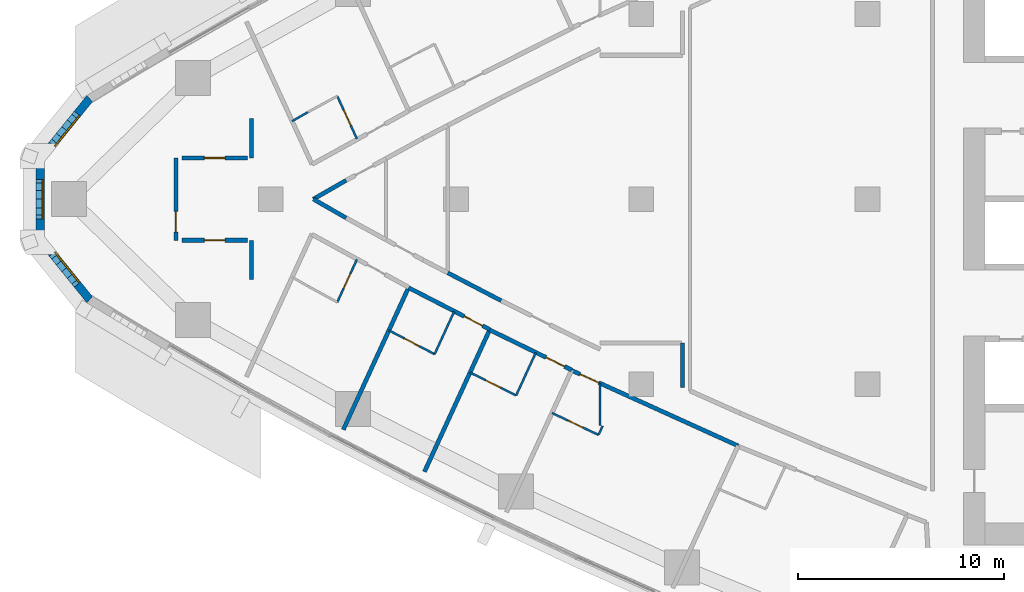
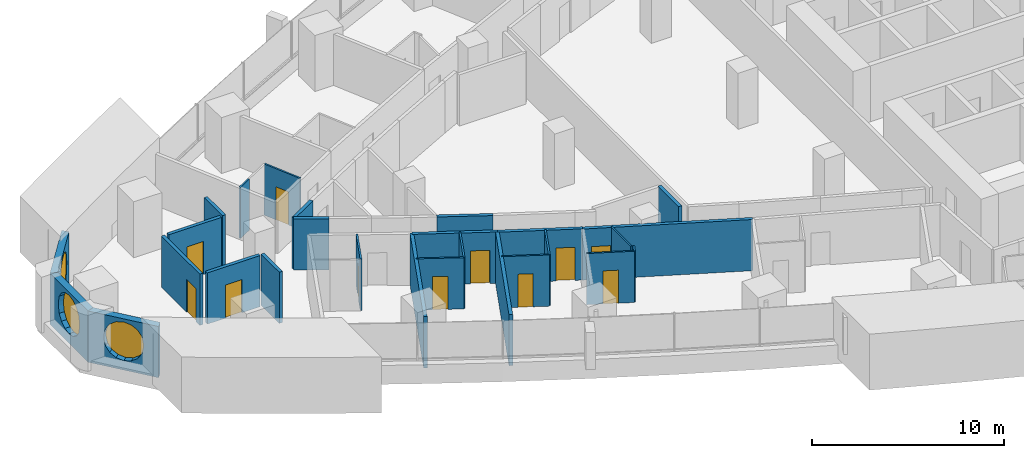
# One storey, part 8 of 17: 27 walls, 11 doors, 3 windows, 14 openings.
"""IFC4 building model written with IfcOpenShell, lengths in metres."""

from ifc_helpers import new_model, si_unit, direction, frame, frame_2d, origin, place, context, subcontext, project, spatial, polyline, rectangle, outline, extrude, material, layer, layer_set, type_object, element, fill, save


model = new_model("IFC4")

# Units and contexts
model_context = context("Model", 3, precision=1e-05, world=origin(), true_north=direction((0.0, 1.0)))
body_context = subcontext(model_context, "Body", "Model", "MODEL_VIEW")
ifc_project = project(units=[si_unit("LENGTHUNIT", "METRE"), si_unit("AREAUNIT", "SQUARE_METRE"), si_unit("VOLUMEUNIT", "CUBIC_METRE"), si_unit("PLANEANGLEUNIT", "RADIAN"), si_unit("MASSUNIT", "GRAM", prefix="KILO")], contexts=[model_context])

# Site, building, storey
site_placement = place(None, origin())
site = spatial("IfcSite", under=ifc_project, at=site_placement, CompositionType="ELEMENT")
building_placement = place(site_placement, origin())
building = spatial("IfcBuilding", under=site, at=building_placement, Name="Ostrand Prow Hotel Tower", CompositionType="ELEMENT")
storey_placement = place(building_placement, frame((0.0, 0.0, 99.10009765625)))
storey = spatial("IfcBuildingStorey", under=building, at=storey_placement, Name="L23", CompositionType="ELEMENT", Elevation=99.10009765625)

# Wall
ifc_material_1 = material(Name="Plasterboard partition")
ifc_layer_1 = layer(ifc_material_1, 0.10009765625)
ifc_layer_set_1 = layer_set([ifc_layer_1], Name="Plasterboard partition")
wall_type_1 = type_object("IfcWallType", Name="Partition 100 bathroom wall", PredefinedType="PARTITIONING", material=ifc_layer_set_1)
wall_1_placement = place(storey_placement, frame((17.0361328125, 3.7900390625, 0.0), z_axis=(0.0, 0.0, 1.0), x_axis=(0.867629162742, 0.497211862248, 0.0)))
element("IfcWall", 1, at=wall_1_placement, inside=storey, type_object=wall_type_1, Name="BATHROOM WALL", PredefinedType="PARTITIONING", context=body_context, shape_type="SweptSolid", body=[
    extrude(rectangle(XDim=0.8818359375, YDim=0.10009765625, at=frame_2d((0.44091796875, 0.0))), origin(), (0.0, 0.0, 1.0), 3.25),
])

# Wall, opening, door
wall_2_placement = place(storey_placement, frame((19.2275390625, 5.00830078125, 0.0), z_axis=(0.0, 0.0, 1.0), x_axis=(0.417450047292, -0.908699872354, 0.0)))
wall_2 = element("IfcWall", 2, at=wall_2_placement, inside=storey, type_object=wall_type_1, Name="BATHROOM WALL", PredefinedType="PARTITIONING", context=body_context, shape_type="SweptSolid", body=[
    extrude(rectangle(XDim=2.28271484375, YDim=0.10009765625, at=frame_2d((1.141357421875, 0.0))), origin(), (0.0, 0.0, 1.0), 3.25),
])
opening_1_placement = place(wall_2_placement, frame((0.75, 0.0, 0.0)))
opening_1 = element("IfcOpeningElement", 3, at=opening_1_placement, cuts=wall_2, Name="Opening D2", PredefinedType="OPENING", context=body_context, shape_type="SweptSolid", body=[
    extrude(rectangle(XDim=0.800048828125, YDim=2.10009765625, at=frame_2d((0.39990234375, 1.050048828125))), frame((0.0, 0.06005859375, 0.0), z_axis=(0.0, -1.0, 0.0), x_axis=(1.0, 0.0, 0.0)), (0.0, 0.0, 1.0), 0.1201171875),
])
ifc_material_2 = material(Name="Timber door leaf", Category="wood")
door_type_1 = type_object("IfcDoorType", Name="Bathroom door 800", OperationType="SINGLE_SWING_LEFT", PredefinedType="DOOR", material=ifc_material_2)
door_1_placement = place(opening_1_placement, origin())
door_1 = element("IfcDoor", 4, at=door_1_placement, inside=storey, type_object=door_type_1, Name="DOOR", OperationType="SINGLE_SWING_LEFT", OverallHeight=2.10009765625, OverallWidth=0.800048828125, PredefinedType="DOOR", context=body_context, shape_type="SweptSolid", body=[
    extrude(rectangle(XDim=0.800048828125, YDim=2.10009765625, at=frame_2d((0.39990234375, 1.050048828125))), frame((0.0, 0.02490234375, 0.0), z_axis=(0.0, -1.0, 0.0), x_axis=(1.0, 0.0, 0.0)), (0.0, 0.0, 1.0), 0.050048828125),
])
fill(opening_1, door_1)

wall_3_placement = place(storey_placement, frame((20.180419921875, -2.93408203125, 0.0), z_axis=(0.0, 0.0, 1.0), x_axis=(-0.417450047292, -0.908699872354, 0.0)))
wall_3 = element("IfcWall", 5, at=wall_3_placement, inside=storey, type_object=wall_type_1, Name="BATHROOM WALL", PredefinedType="PARTITIONING", context=body_context, shape_type="SweptSolid", body=[
    extrude(rectangle(XDim=2.28271484375, YDim=0.10009765625, at=frame_2d((1.141357421875, 0.0))), origin(), (0.0, 0.0, 1.0), 3.25),
])
opening_2_placement = place(wall_3_placement, frame((0.75, 0.0, 0.0)))
opening_2 = element("IfcOpeningElement", 6, at=opening_2_placement, cuts=wall_3, Name="Opening D2", PredefinedType="OPENING", context=body_context, shape_type="SweptSolid", body=[
    extrude(rectangle(XDim=0.800048828125, YDim=2.10009765625, at=frame_2d((0.39990234375, 1.050048828125))), frame((0.0, 0.06005859375, 0.0), z_axis=(0.0, -1.0, 0.0), x_axis=(1.0, 0.0, 0.0)), (0.0, 0.0, 1.0), 0.1201171875),
])
door_2_placement = place(opening_2_placement, origin())
door_2 = element("IfcDoor", 7, at=door_2_placement, inside=storey, type_object=door_type_1, Name="DOOR", OperationType="SINGLE_SWING_LEFT", OverallHeight=2.10009765625, OverallWidth=0.800048828125, PredefinedType="DOOR", context=body_context, shape_type="SweptSolid", body=[
    extrude(rectangle(XDim=0.800048828125, YDim=2.10009765625, at=frame_2d((0.39990234375, 1.050048828125))), frame((0.0, 0.02490234375, 0.0), z_axis=(0.0, -1.0, 0.0), x_axis=(1.0, 0.0, 0.0)), (0.0, 0.0, 1.0), 0.050048828125),
])
fill(opening_2, door_2)

# Wall
wall_4_placement = place(storey_placement, frame((24.9091796875, -5.4619140625, 0.0), z_axis=(0.0, 0.0, 1.0), x_axis=(-0.417454762401, -0.908697706253, 0.0)))
element("IfcWall", 8, at=wall_4_placement, inside=storey, type_object=wall_type_1, Name="BATHROOM WALL", PredefinedType="PARTITIONING", context=body_context, shape_type="SweptSolid", body=[
    extrude(rectangle(XDim=2.27978515625, YDim=0.10009765625, at=frame_2d((1.139892578125, 0.0))), origin(), (0.0, 0.0, 1.0), 3.25),
])

# Wall, opening, door
wall_5_placement = place(storey_placement, frame((23.95751953125, -7.533447265625, 0.0), z_axis=(0.0, 0.0, 1.0), x_axis=(-0.886911586599, 0.461939214135, 0.0)))
wall_5 = element("IfcWall", 9, at=wall_5_placement, inside=storey, type_object=wall_type_1, Name="BATHROOM WALL", PredefinedType="PARTITIONING", context=body_context, shape_type="SweptSolid", body=[
    extrude(rectangle(XDim=2.5029296875, YDim=0.10009765625, at=frame_2d((1.25146484375, 0.0))), origin(), (0.0, 0.0, 1.0), 3.25),
])
opening_3_placement = place(wall_5_placement, frame((0.85009765625, 0.0, 0.0)))
opening_3 = element("IfcOpeningElement", 10, at=opening_3_placement, cuts=wall_5, Name="Opening D2", PredefinedType="OPENING", context=body_context, shape_type="SweptSolid", body=[
    extrude(rectangle(XDim=0.800048828125, YDim=2.10009765625, at=frame_2d((0.39990234375, 1.050048828125))), frame((0.0, 0.06005859375, 0.0), z_axis=(0.0, -1.0, 0.0), x_axis=(1.0, 0.0, 0.0)), (0.0, 0.0, 1.0), 0.1201171875),
])
door_3_placement = place(opening_3_placement, origin())
door_3 = element("IfcDoor", 11, at=door_3_placement, inside=storey, type_object=door_type_1, Name="DOOR", OperationType="SINGLE_SWING_LEFT", OverallHeight=2.10009765625, OverallWidth=0.800048828125, PredefinedType="DOOR", context=body_context, shape_type="SweptSolid", body=[
    extrude(rectangle(XDim=0.800048828125, YDim=2.10009765625, at=frame_2d((0.39990234375, 1.050048828125))), frame((0.0, 0.02490234375, 0.0), z_axis=(0.0, -1.0, 0.0), x_axis=(1.0, 0.0, 0.0)), (0.0, 0.0, 1.0), 0.050048828125),
])
fill(opening_3, door_3)

# Wall
wall_6_placement = place(storey_placement, frame((28.87255859375, -7.466552734375, 0.0), z_axis=(0.0, 0.0, 1.0), x_axis=(-0.417433204355, -0.908707609686, 0.0)))
element("IfcWall", 12, at=wall_6_placement, inside=storey, type_object=wall_type_1, Name="BATHROOM WALL", PredefinedType="PARTITIONING", context=body_context, shape_type="SweptSolid", body=[
    extrude(rectangle(XDim=2.278076171875, YDim=0.10009765625, at=frame_2d((1.13916015625, 0.0))), origin(), (0.0, 0.0, 1.0), 3.25),
])

# Wall, opening, door
wall_7_placement = place(storey_placement, frame((27.921630859375, -9.53662109375, 0.0), z_axis=(0.0, 0.0, 1.0), x_axis=(-0.895944857815, 0.444165297784, 0.0)))
wall_7 = element("IfcWall", 13, at=wall_7_placement, inside=storey, type_object=wall_type_1, Name="BATHROOM WALL", PredefinedType="PARTITIONING", context=body_context, shape_type="SweptSolid", body=[
    extrude(rectangle(XDim=2.5009765625, YDim=0.10009765625, at=frame_2d((1.25048828125, 0.0))), origin(), (0.0, 0.0, 1.0), 3.25),
])
opening_4_placement = place(wall_7_placement, frame((0.85009765625, 0.0, 0.0)))
opening_4 = element("IfcOpeningElement", 14, at=opening_4_placement, cuts=wall_7, Name="Opening D2", PredefinedType="OPENING", context=body_context, shape_type="SweptSolid", body=[
    extrude(rectangle(XDim=0.800048828125, YDim=2.10009765625, at=frame_2d((0.39990234375, 1.050048828125))), frame((0.0, 0.06005859375, 0.0), z_axis=(0.0, -1.0, 0.0), x_axis=(1.0, 0.0, 0.0)), (0.0, 0.0, 1.0), 0.1201171875),
])
door_4_placement = place(opening_4_placement, origin())
door_4 = element("IfcDoor", 15, at=door_4_placement, inside=storey, type_object=door_type_1, Name="DOOR", OperationType="SINGLE_SWING_LEFT", OverallHeight=2.10009765625, OverallWidth=0.800048828125, PredefinedType="DOOR", context=body_context, shape_type="SweptSolid", body=[
    extrude(rectangle(XDim=0.800048828125, YDim=2.10009765625, at=frame_2d((0.39990234375, 1.050048828125))), frame((0.0, 0.02490234375, 0.0), z_axis=(0.0, -1.0, 0.0), x_axis=(1.0, 0.0, 0.0)), (0.0, 0.0, 1.0), 0.050048828125),
])
fill(opening_4, door_4)

# Wall
wall_8_placement = place(storey_placement, frame((32.123779296875, -11.022216796875, 0.0), z_axis=(0.0, 0.0, 1.0), x_axis=(-0.4176025781, -0.908629785316, 0.0)))
element("IfcWall", 16, at=wall_8_placement, inside=storey, type_object=wall_type_1, Name="BATHROOM WALL", PredefinedType="PARTITIONING", context=body_context, shape_type="SweptSolid", body=[
    extrude(rectangle(XDim=0.478759765625, YDim=0.10009765625, at=frame_2d((0.2392578125, 0.0))), origin(), (0.0, 0.0, 1.0), 3.25),
])

# Wall, opening, door
wall_9_placement = place(storey_placement, frame((31.923828125, -11.457275390625, 0.0), z_axis=(0.0, 0.0, 1.0), x_axis=(-0.904688082375, 0.426074493027, 0.0)))
wall_9 = element("IfcWall", 17, at=wall_9_placement, inside=storey, type_object=wall_type_1, Name="BATHROOM WALL", PredefinedType="PARTITIONING", context=body_context, shape_type="SweptSolid", body=[
    extrude(rectangle(XDim=2.5, YDim=0.10009765625, at=frame_2d((1.25, 0.0))), origin(), (0.0, 0.0, 1.0), 3.25),
])
opening_5_placement = place(wall_9_placement, frame((0.85009765625, 0.0, 0.0)))
opening_5 = element("IfcOpeningElement", 18, at=opening_5_placement, cuts=wall_9, Name="Opening D2", PredefinedType="OPENING", context=body_context, shape_type="SweptSolid", body=[
    extrude(rectangle(XDim=0.800048828125, YDim=2.10009765625, at=frame_2d((0.39990234375, 1.050048828125))), frame((0.0, 0.06005859375, 0.0), z_axis=(0.0, -1.0, 0.0), x_axis=(1.0, 0.0, 0.0)), (0.0, 0.0, 1.0), 0.1201171875),
])
door_5_placement = place(opening_5_placement, origin())
door_5 = element("IfcDoor", 19, at=door_5_placement, inside=storey, type_object=door_type_1, Name="DOOR", OperationType="SINGLE_SWING_LEFT", OverallHeight=2.10009765625, OverallWidth=0.800048828125, PredefinedType="DOOR", context=body_context, shape_type="SweptSolid", body=[
    extrude(rectangle(XDim=0.800048828125, YDim=2.10009765625, at=frame_2d((0.39990234375, 1.050048828125))), frame((0.0, 0.02490234375, 0.0), z_axis=(0.0, -1.0, 0.0), x_axis=(1.0, 0.0, 0.0)), (0.0, 0.0, 1.0), 0.050048828125),
])
fill(opening_5, door_5)

# Wall
wall_10_placement = place(storey_placement, frame((31.9951171875, -8.9541015625, 0.0), z_axis=(0.0, 0.0, 1.0), x_axis=(0.0, -1.0, 0.0)))
element("IfcWall", 20, at=wall_10_placement, inside=storey, type_object=wall_type_1, Name="BATHROOM WALL", PredefinedType="PARTITIONING", context=body_context, shape_type="SweptSolid", body=[
    extrude(rectangle(XDim=2.04638671875, YDim=0.10009765625, at=frame_2d((1.023193359375, 0.0))), origin(), (0.0, 0.0, 1.0), 3.25),
])

# Wall, opening, door
ifc_material_3 = material(Name="Plasterboard partition")
ifc_layer_2 = layer(ifc_material_3, 0.199951171875)
ifc_layer_set_2 = layer_set([ifc_layer_2], Name="Plasterboard partition")
wall_type_2 = type_object("IfcWallType", Name="Partition 200 corridor wall", PredefinedType="PARTITIONING", material=ifc_layer_set_2)
wall_11_placement = place(storey_placement, frame((11.685302734375, 2.0, 0.0), z_axis=(0.0, 0.0, 1.0), x_axis=(1.0, 0.0, 0.0)))
wall_11 = element("IfcWall", 21, at=wall_11_placement, inside=storey, type_object=wall_type_2, Name="CORRIDOR WALL", PredefinedType="PARTITIONING", context=body_context, shape_type="SweptSolid", body=[
    extrude(rectangle(XDim=3.16845703125, YDim=0.199951171875, at=frame_2d((1.584228515625, 0.0))), origin(), (0.0, 0.0, 1.0), 3.25),
])
opening_6_placement = place(wall_11_placement, frame((1.084228515625, 0.0, 0.0)))
opening_6 = element("IfcOpeningElement", 22, at=opening_6_placement, cuts=wall_11, Name="Opening D1", PredefinedType="OPENING", context=body_context, shape_type="SweptSolid", body=[
    extrude(rectangle(XDim=1.0, YDim=2.10009765625, at=frame_2d((0.5, 1.050048828125))), frame((0.0, 0.10986328125, 0.0), z_axis=(0.0, -1.0, 0.0), x_axis=(1.0, 0.0, 0.0)), (0.0, 0.0, 1.0), 0.219970703125),
])
ifc_material_4 = material(Name="Timber door leaf", Category="wood")
door_type_2 = type_object("IfcDoorType", Name="Guest room door 1000", OperationType="SINGLE_SWING_LEFT", PredefinedType="DOOR", material=ifc_material_4)
door_6_placement = place(opening_6_placement, origin())
door_6 = element("IfcDoor", 23, at=door_6_placement, inside=storey, type_object=door_type_2, Name="DOOR", OperationType="SINGLE_SWING_LEFT", OverallHeight=2.10009765625, OverallWidth=1.0, PredefinedType="DOOR", context=body_context, shape_type="SweptSolid", body=[
    extrude(rectangle(XDim=1.0, YDim=2.10009765625, at=frame_2d((0.5, 1.050048828125))), frame((0.0, 0.02490234375, 0.0), z_axis=(0.0, -1.0, 0.0), x_axis=(1.0, 0.0, 0.0)), (0.0, 0.0, 1.0), 0.050048828125),
])
fill(opening_6, door_6)

wall_12_placement = place(storey_placement, frame((11.685302734375, -2.0, 0.0), z_axis=(0.0, 0.0, 1.0), x_axis=(1.0, 0.0, 0.0)))
wall_12 = element("IfcWall", 24, at=wall_12_placement, inside=storey, type_object=wall_type_2, Name="CORRIDOR WALL", PredefinedType="PARTITIONING", context=body_context, shape_type="SweptSolid", body=[
    extrude(rectangle(XDim=3.16845703125, YDim=0.199951171875, at=frame_2d((1.584228515625, 0.0))), origin(), (0.0, 0.0, 1.0), 3.25),
])
opening_7_placement = place(wall_12_placement, frame((1.084228515625, 0.0, 0.0)))
opening_7 = element("IfcOpeningElement", 25, at=opening_7_placement, cuts=wall_12, Name="Opening D1R", PredefinedType="OPENING", context=body_context, shape_type="SweptSolid", body=[
    extrude(rectangle(XDim=1.0, YDim=2.10009765625, at=frame_2d((0.5, 1.050048828125))), frame((0.0, 0.10986328125, 0.0), z_axis=(0.0, -1.0, 0.0), x_axis=(1.0, 0.0, 0.0)), (0.0, 0.0, 1.0), 0.219970703125),
])
ifc_material_5 = material(Name="Timber door leaf", Category="wood")
door_type_3 = type_object("IfcDoorType", Name="Guest room door 1000 right", OperationType="SINGLE_SWING_RIGHT", PredefinedType="DOOR", material=ifc_material_5)
door_7_placement = place(opening_7_placement, origin())
door_7 = element("IfcDoor", 26, at=door_7_placement, inside=storey, type_object=door_type_3, Name="DOOR", OperationType="SINGLE_SWING_RIGHT", OverallHeight=2.10009765625, OverallWidth=1.0, PredefinedType="DOOR", context=body_context, shape_type="SweptSolid", body=[
    extrude(rectangle(XDim=1.0, YDim=2.10009765625, at=frame_2d((0.5, 1.050048828125))), frame((0.0, 0.02490234375, 0.0), z_axis=(0.0, -1.0, 0.0), x_axis=(1.0, 0.0, 0.0)), (0.0, 0.0, 1.0), 0.050048828125),
])
fill(opening_7, door_7)

wall_13_placement = place(storey_placement, frame((22.6904296875, -4.302490234375, 0.0), z_axis=(0.0, 0.0, 1.0), x_axis=(0.889236075961, -0.457448577667, 0.0)))
wall_13 = element("IfcWall", 27, at=wall_13_placement, inside=storey, type_object=wall_type_2, Name="CORRIDOR WALL", PredefinedType="PARTITIONING", context=body_context, shape_type="SweptSolid", body=[
    extrude(rectangle(XDim=4.443115234375, YDim=0.199951171875, at=frame_2d((2.2216796875, 0.0))), origin(), (0.0, 0.0, 1.0), 3.25),
])
opening_8_placement = place(wall_13_placement, frame((3.050048828125, 0.0, 0.0)))
opening_8 = element("IfcOpeningElement", 28, at=opening_8_placement, cuts=wall_13, Name="Opening D1R", PredefinedType="OPENING", context=body_context, shape_type="SweptSolid", body=[
    extrude(rectangle(XDim=1.0, YDim=2.10009765625, at=frame_2d((0.5, 1.050048828125))), frame((0.0, 0.10986328125, 0.0), z_axis=(0.0, -1.0, 0.0), x_axis=(1.0, 0.0, 0.0)), (0.0, 0.0, 1.0), 0.219970703125),
])
door_8_placement = place(opening_8_placement, origin())
door_8 = element("IfcDoor", 29, at=door_8_placement, inside=storey, type_object=door_type_3, Name="DOOR", OperationType="SINGLE_SWING_RIGHT", OverallHeight=2.10009765625, OverallWidth=1.0, PredefinedType="DOOR", context=body_context, shape_type="SweptSolid", body=[
    extrude(rectangle(XDim=1.0, YDim=2.10009765625, at=frame_2d((0.5, 1.050048828125))), frame((0.0, 0.02490234375, 0.0), z_axis=(0.0, -1.0, 0.0), x_axis=(1.0, 0.0, 0.0)), (0.0, 0.0, 1.0), 0.050048828125),
])
fill(opening_8, door_8)

wall_14_placement = place(storey_placement, frame((26.6328125, -6.35302734375, 0.0), z_axis=(0.0, 0.0, 1.0), x_axis=(0.898502457097, -0.438968489291, 0.0)))
wall_14 = element("IfcWall", 30, at=wall_14_placement, inside=storey, type_object=wall_type_2, Name="CORRIDOR WALL", PredefinedType="PARTITIONING", context=body_context, shape_type="SweptSolid", body=[
    extrude(rectangle(XDim=4.43994140625, YDim=0.199951171875, at=frame_2d((2.219970703125, 0.0))), origin(), (0.0, 0.0, 1.0), 3.25),
])
opening_9_placement = place(wall_14_placement, frame((3.050048828125, 0.0, 0.0)))
opening_9 = element("IfcOpeningElement", 31, at=opening_9_placement, cuts=wall_14, Name="Opening D1R", PredefinedType="OPENING", context=body_context, shape_type="SweptSolid", body=[
    extrude(rectangle(XDim=1.0, YDim=2.10009765625, at=frame_2d((0.5, 1.050048828125))), frame((0.0, 0.10986328125, 0.0), z_axis=(0.0, -1.0, 0.0), x_axis=(1.0, 0.0, 0.0)), (0.0, 0.0, 1.0), 0.219970703125),
])
door_9_placement = place(opening_9_placement, origin())
door_9 = element("IfcDoor", 32, at=door_9_placement, inside=storey, type_object=door_type_3, Name="DOOR", OperationType="SINGLE_SWING_RIGHT", OverallHeight=2.10009765625, OverallWidth=1.0, PredefinedType="DOOR", context=body_context, shape_type="SweptSolid", body=[
    extrude(rectangle(XDim=1.0, YDim=2.10009765625, at=frame_2d((0.5, 1.050048828125))), frame((0.0, 0.02490234375, 0.0), z_axis=(0.0, -1.0, 0.0), x_axis=(1.0, 0.0, 0.0)), (0.0, 0.0, 1.0), 0.050048828125),
])
fill(opening_9, door_9)

wall_15_placement = place(storey_placement, frame((30.61376953125, -8.320068359375, 0.0), z_axis=(0.0, 0.0, 1.0), x_axis=(0.910751030363, -0.41295588226, 0.0)))
wall_15 = element("IfcWall", 33, at=wall_15_placement, inside=storey, type_object=wall_type_2, Name="CORRIDOR WALL", PredefinedType="PARTITIONING", context=body_context, shape_type="SweptSolid", body=[
    extrude(rectangle(XDim=8.88330078125, YDim=0.199951171875, at=frame_2d((4.441650390625, 0.0))), origin(), (0.0, 0.0, 1.0), 3.25),
])
opening_10_placement = place(wall_15_placement, frame((0.449951171875, 0.0, 0.0)))
opening_10 = element("IfcOpeningElement", 34, at=opening_10_placement, cuts=wall_15, Name="Opening D1R", PredefinedType="OPENING", context=body_context, shape_type="SweptSolid", body=[
    extrude(rectangle(XDim=1.0, YDim=2.10009765625, at=frame_2d((0.5, 1.050048828125))), frame((0.0, 0.10986328125, 0.0), z_axis=(0.0, -1.0, 0.0), x_axis=(1.0, 0.0, 0.0)), (0.0, 0.0, 1.0), 0.219970703125),
])
door_10_placement = place(opening_10_placement, origin())
door_10 = element("IfcDoor", 35, at=door_10_placement, inside=storey, type_object=door_type_3, Name="DOOR", OperationType="SINGLE_SWING_RIGHT", OverallHeight=2.10009765625, OverallWidth=1.0, PredefinedType="DOOR", context=body_context, shape_type="SweptSolid", body=[
    extrude(rectangle(XDim=1.0, YDim=2.10009765625, at=frame_2d((0.5, 1.050048828125))), frame((0.0, 0.02490234375, 0.0), z_axis=(0.0, -1.0, 0.0), x_axis=(1.0, 0.0, 0.0)), (0.0, 0.0, 1.0), 0.050048828125),
])
fill(opening_10, door_10)

# Walls
for number, where, z_axis, x_axis, name in (
    (36, (19.6572265625, -0.912353515625, 0.0), (0.0, 0.0, 1.0), (-0.867694156962, 0.49709843087, 0.0), "CORRIDOR WALL"),
    (37, (18.064697265625, 0.0, 0.0), (0.0, 0.0, 1.0), (0.867694156962, 0.49709843087, 0.0), "CORRIDOR WALL"),
):
    element("IfcWall", number, at=place(storey_placement, frame(where, z_axis=z_axis, x_axis=x_axis)), inside=storey, type_object=wall_type_2, Name=name, PredefinedType="PARTITIONING", context=body_context, shape_type="SweptSolid", body=[
        extrude(rectangle(XDim=1.83544921875, YDim=0.199951171875, at=frame_2d((0.917724609375, 0.0))), origin(), (0.0, 0.0, 1.0), 3.25),
    ])
wall_16_placement = place(storey_placement, frame((27.1962890625, -4.935791015625, 0.0), z_axis=(0.0, 0.0, 1.0), x_axis=(-0.886905549588, 0.461950804859, 0.0)))
element("IfcWall", 38, at=wall_16_placement, inside=storey, type_object=wall_type_2, Name="CORRIDOR WALL", PredefinedType="PARTITIONING", context=body_context, shape_type="SweptSolid", body=[
    extrude(rectangle(XDim=2.929931640625, YDim=0.199951171875, at=frame_2d((1.46484375, 0.0))), origin(), (0.0, 0.0, 1.0), 3.25),
])
wall_17_placement = place(storey_placement, frame((36.0048828125, -9.146484375, 0.0), z_axis=(0.0, 0.0, 1.0), x_axis=(-0.001135073049, 0.999999355804, 0.0)))
element("IfcWall", 39, at=wall_17_placement, inside=storey, type_object=wall_type_2, Name="CORRIDOR WALL", PredefinedType="PARTITIONING", context=body_context, shape_type="SweptSolid", body=[
    extrude(rectangle(XDim=2.15087890625, YDim=0.199951171875, at=frame_2d((1.075439453125, 0.0))), origin(), (0.0, 0.0, 1.0), 3.25),
])
wall_18_placement = place(storey_placement, frame((15.0537109375, 3.90869140625, 0.0), z_axis=(0.0, 0.0, 1.0), x_axis=(0.0, -1.0, 0.0)))
element("IfcWall", 40, at=wall_18_placement, inside=storey, type_object=wall_type_2, Name="CORRIDOR WALL", PredefinedType="PARTITIONING", context=body_context, shape_type="SweptSolid", body=[
    extrude(rectangle(XDim=1.90380859375, YDim=0.199951171875, at=frame_2d((0.951904296875, 0.0))), origin(), (0.0, 0.0, 1.0), 3.25),
])
wall_19_placement = place(storey_placement, frame((15.0537109375, -2.0048828125, 0.0), z_axis=(0.0, 0.0, 1.0), x_axis=(0.0, -1.0, 0.0)))
element("IfcWall", 41, at=wall_19_placement, inside=storey, type_object=wall_type_2, Name="CORRIDOR WALL", PredefinedType="PARTITIONING", context=body_context, shape_type="SweptSolid", body=[
    extrude(rectangle(XDim=1.907958984375, YDim=0.199951171875, at=frame_2d((0.9541015625, 0.0))), origin(), (0.0, 0.0, 1.0), 3.25),
])
ifc_material_6 = material(Name="Plasterboard partition")
ifc_layer_3 = layer(ifc_material_6, 0.199951171875)
ifc_layer_set_3 = layer_set([ifc_layer_3], Name="Plasterboard partition")
wall_type_3 = type_object("IfcWallType", Name="Partition 200 key partition", PredefinedType="PARTITIONING", material=ifc_layer_set_3)
wall_20_placement = place(storey_placement, frame((19.5224609375, -11.19921875, 0.0), z_axis=(0.0, 0.0, 1.0), x_axis=(0.417413534969, 0.908716644959, 0.0)))
element("IfcWall", 42, at=wall_20_placement, inside=storey, type_object=wall_type_3, Name="KEY PARTITION", PredefinedType="PARTITIONING", context=body_context, shape_type="SweptSolid", body=[
    extrude(rectangle(XDim=7.609375, YDim=0.199951171875, at=frame_2d((3.8046875, 0.0))), origin(), (0.0, 0.0, 1.0), 3.25),
])
wall_21_placement = place(storey_placement, frame((23.46728515625, -13.244140625, 0.0), z_axis=(0.0, 0.0, 1.0), x_axis=(0.417455028008, 0.908697584233, 0.0)))
element("IfcWall", 43, at=wall_21_placement, inside=storey, type_object=wall_type_3, Name="KEY PARTITION", PredefinedType="PARTITIONING", context=body_context, shape_type="SweptSolid", body=[
    extrude(rectangle(XDim=7.603271484375, YDim=0.199951171875, at=frame_2d((3.8017578125, 0.0))), origin(), (0.0, 0.0, 1.0), 3.25),
])

# Wall, opening, door
ifc_material_7 = material(Name="Plasterboard partition")
ifc_layer_4 = layer(ifc_material_7, 0.199951171875)
ifc_layer_set_4 = layer_set([ifc_layer_4], Name="Plasterboard partition")
wall_type_4 = type_object("IfcWallType", Name="Partition 200 lounge wall", PredefinedType="PARTITIONING", material=ifc_layer_set_4)
wall_22_placement = place(storey_placement, frame((11.385498046875, -2.0, 0.0), z_axis=(0.0, 0.0, 1.0), x_axis=(0.0, 1.0, 0.0)))
wall_22 = element("IfcWall", 44, at=wall_22_placement, inside=storey, type_object=wall_type_4, Name="LOUNGE WALL", PredefinedType="PARTITIONING", context=body_context, shape_type="SweptSolid", body=[
    extrude(rectangle(XDim=4.0, YDim=0.199951171875, at=frame_2d((2.0, 0.0))), origin(), (0.0, 0.0, 1.0), 3.25),
])
opening_11_placement = place(wall_22_placement, frame((0.39990234375, 0.0, 0.0)))
opening_11 = element("IfcOpeningElement", 45, at=opening_11_placement, cuts=wall_22, Name="Opening D1", PredefinedType="OPENING", context=body_context, shape_type="SweptSolid", body=[
    extrude(rectangle(XDim=1.0, YDim=2.10009765625, at=frame_2d((0.5, 1.050048828125))), frame((0.0, 0.10986328125, 0.0), z_axis=(0.0, -1.0, 0.0), x_axis=(1.0, 0.0, 0.0)), (0.0, 0.0, 1.0), 0.219970703125),
])
door_11_placement = place(opening_11_placement, origin())
door_11 = element("IfcDoor", 46, at=door_11_placement, inside=storey, type_object=door_type_2, Name="DOOR", OperationType="SINGLE_SWING_LEFT", OverallHeight=2.10009765625, OverallWidth=1.0, PredefinedType="DOOR", context=body_context, shape_type="SweptSolid", body=[
    extrude(rectangle(XDim=1.0, YDim=2.10009765625, at=frame_2d((0.5, 1.050048828125))), frame((0.0, 0.02490234375, 0.0), z_axis=(0.0, -1.0, 0.0), x_axis=(1.0, 0.0, 0.0)), (0.0, 0.0, 1.0), 0.050048828125),
])
fill(opening_11, door_11)

# Wall, opening, window
ifc_material_8 = material(Name="Precast concrete C40/50", Category="concrete")
ifc_layer_5 = layer(ifc_material_8, 0.39990234375)
ifc_layer_set_5 = layer_set([ifc_layer_5], Name="Precast concrete C40/50")
wall_type_5 = type_object("IfcWallType", Name="Stone-faced precast wall 400 mm", PredefinedType="NOTDEFINED", material=ifc_layer_set_5)
wall_23_placement = place(storey_placement, frame((7.1943359375, 4.8876953125, 0.0), z_axis=(0.0, 0.0, 1.0), x_axis=(-0.62903486133, -0.777377092042, 0.0)))
wall_23 = element("IfcWall", 47, at=wall_23_placement, inside=storey, type_object=wall_type_5, Name="Stone-faced wall prow 2", PredefinedType="NOTDEFINED", context=body_context, shape_type="SweptSolid", body=[
    extrude(outline(polyline([(-0.035400390625, -0.199951171875), (3.897216796875, -0.199951171875), (3.755615234375, 0.199951171875), (0.035400390625, 0.199951171875), (-0.035400390625, -0.199951171875)])), origin(), (0.0, 0.0, 1.0), 3.25),
])
opening_12_placement = place(wall_23_placement, frame((0.813232421875, 0.0, 0.60009765625)))
opening_12 = element("IfcOpeningElement", 48, at=opening_12_placement, cuts=wall_23, Name="Opening WP1", PredefinedType="OPENING", context=body_context, shape_type="SweptSolid", body=[
    extrude(outline(polyline([(0.0, 1.35009765625), (0.083740234375, 1.77099609375), (0.322265625, 2.127685546875), (0.678955078125, 2.3662109375), (1.10009765625, 2.449951171875), (1.52099609375, 2.3662109375), (1.877685546875, 2.127685546875), (2.1162109375, 1.77099609375), (2.199951171875, 1.35009765625), (2.199951171875, 1.10009765625), (2.1162109375, 0.678955078125), (1.877685546875, 0.322265625), (1.52099609375, 0.083740234375), (1.10009765625, 0.0), (0.678955078125, 0.083740234375), (0.322265625, 0.322265625), (0.083740234375, 0.678955078125), (0.0, 1.099853515625), (0.0, 1.35009765625)])), frame((0.0, 0.2099609375, 0.0), z_axis=(0.0, -1.0, 0.0), x_axis=(1.0, 0.0, 0.0)), (0.0, 0.0, 1.0), 0.419921875),
])
ifc_material_9 = material(Name="Insulated glass in bronze frame", Category="glass")
window_type = type_object("IfcWindowType", Name="Round-ended prow window 2200x2450", PartitioningType="SINGLE_PANEL", PredefinedType="WINDOW", material=ifc_material_9)
window_1_placement = place(opening_12_placement, origin())
window_1 = element("IfcWindow", 49, at=window_1_placement, inside=storey, type_object=window_type, Name="Window prow 2.1", OverallHeight=2.449951171875, OverallWidth=2.199951171875, PartitioningType="SINGLE_PANEL", PredefinedType="WINDOW", context=body_context, shape_type="SweptSolid", body=[
    extrude(outline(polyline([(0.0, 1.35009765625), (0.083740234375, 1.77099609375), (0.322265625, 2.127685546875), (0.678955078125, 2.3662109375), (1.10009765625, 2.449951171875), (1.52099609375, 2.3662109375), (1.877685546875, 2.127685546875), (2.1162109375, 1.77099609375), (2.199951171875, 1.35009765625), (2.199951171875, 1.10009765625), (2.1162109375, 0.678955078125), (1.877685546875, 0.322265625), (1.52099609375, 0.083740234375), (1.10009765625, 0.0), (0.678955078125, 0.083740234375), (0.322265625, 0.322265625), (0.083740234375, 0.678955078125), (0.0, 1.099853515625), (0.0, 1.35009765625)])), frame((0.0, 0.169921875, 0.0), z_axis=(0.0, -1.0, 0.0), x_axis=(1.0, 0.0, 0.0)), (0.0, 0.0, 1.0), 0.06005859375),
])
fill(opening_12, window_1)

wall_24_placement = place(storey_placement, frame((4.787353515625, 1.9130859375, 0.0), z_axis=(0.0, 0.0, 1.0), x_axis=(0.0, -1.0, 0.0)))
wall_24 = element("IfcWall", 50, at=wall_24_placement, inside=storey, type_object=wall_type_5, Name="Stone-faced wall prow 3", PredefinedType="NOTDEFINED", context=body_context, shape_type="SweptSolid", body=[
    extrude(outline(polyline([(-0.07080078125, -0.199951171875), (3.89697265625, -0.199951171875), (3.75537109375, 0.199951171875), (0.07080078125, 0.199951171875), (-0.07080078125, -0.199951171875)])), origin(), (0.0, 0.0, 1.0), 3.25),
])
opening_13_placement = place(wall_24_placement, frame((0.813232421875, 0.0, 0.60009765625)))
opening_13 = element("IfcOpeningElement", 51, at=opening_13_placement, cuts=wall_24, Name="Opening WP1", PredefinedType="OPENING", context=body_context, shape_type="SweptSolid", body=[
    extrude(outline(polyline([(0.0, 1.35009765625), (0.083740234375, 1.77099609375), (0.322265625, 2.127685546875), (0.678955078125, 2.3662109375), (1.10009765625, 2.449951171875), (1.52099609375, 2.3662109375), (1.877685546875, 2.127685546875), (2.1162109375, 1.77099609375), (2.199951171875, 1.35009765625), (2.199951171875, 1.10009765625), (2.1162109375, 0.678955078125), (1.877685546875, 0.322265625), (1.52099609375, 0.083740234375), (1.10009765625, 0.0), (0.678955078125, 0.083740234375), (0.322265625, 0.322265625), (0.083740234375, 0.678955078125), (0.0, 1.099853515625), (0.0, 1.35009765625)])), frame((0.0, 0.2099609375, 0.0), z_axis=(0.0, -1.0, 0.0), x_axis=(1.0, 0.0, 0.0)), (0.0, 0.0, 1.0), 0.419921875),
])
window_2_placement = place(opening_13_placement, origin())
window_2 = element("IfcWindow", 52, at=window_2_placement, inside=storey, type_object=window_type, Name="Window prow 3.1", OverallHeight=2.449951171875, OverallWidth=2.199951171875, PartitioningType="SINGLE_PANEL", PredefinedType="WINDOW", context=body_context, shape_type="SweptSolid", body=[
    extrude(outline(polyline([(0.0, 1.35009765625), (0.083740234375, 1.77099609375), (0.322265625, 2.127685546875), (0.678955078125, 2.3662109375), (1.10009765625, 2.449951171875), (1.52099609375, 2.3662109375), (1.877685546875, 2.127685546875), (2.1162109375, 1.77099609375), (2.199951171875, 1.35009765625), (2.199951171875, 1.10009765625), (2.1162109375, 0.678955078125), (1.877685546875, 0.322265625), (1.52099609375, 0.083740234375), (1.10009765625, 0.0), (0.678955078125, 0.083740234375), (0.322265625, 0.322265625), (0.083740234375, 0.678955078125), (0.0, 1.099853515625), (0.0, 1.35009765625)])), frame((0.0, 0.169921875, 0.0), z_axis=(0.0, -1.0, 0.0), x_axis=(1.0, 0.0, 0.0)), (0.0, 0.0, 1.0), 0.06005859375),
])
fill(opening_13, window_2)

wall_25_placement = place(storey_placement, frame((4.787353515625, -1.9130859375, 0.0), z_axis=(0.0, 0.0, 1.0), x_axis=(0.62903486133, -0.777377092042, 0.0)))
wall_25 = element("IfcWall", 53, at=wall_25_placement, inside=storey, type_object=wall_type_5, Name="Stone-faced wall prow 4", PredefinedType="NOTDEFINED", context=body_context, shape_type="SweptSolid", body=[
    extrude(outline(polyline([(-0.07080078125, -0.199951171875), (3.86181640625, -0.199951171875), (3.791015625, 0.199951171875), (0.07080078125, 0.199951171875), (-0.07080078125, -0.199951171875)])), origin(), (0.0, 0.0, 1.0), 3.25),
])
opening_14_placement = place(wall_25_placement, frame((0.813232421875, 0.0, 0.60009765625)))
opening_14 = element("IfcOpeningElement", 54, at=opening_14_placement, cuts=wall_25, Name="Opening WP1", PredefinedType="OPENING", context=body_context, shape_type="SweptSolid", body=[
    extrude(outline(polyline([(0.0, 1.35009765625), (0.083740234375, 1.77099609375), (0.322265625, 2.127685546875), (0.678955078125, 2.3662109375), (1.10009765625, 2.449951171875), (1.52099609375, 2.3662109375), (1.877685546875, 2.127685546875), (2.1162109375, 1.77099609375), (2.199951171875, 1.35009765625), (2.199951171875, 1.10009765625), (2.1162109375, 0.678955078125), (1.877685546875, 0.322265625), (1.52099609375, 0.083740234375), (1.10009765625, 0.0), (0.678955078125, 0.083740234375), (0.322265625, 0.322265625), (0.083740234375, 0.678955078125), (0.0, 1.099853515625), (0.0, 1.35009765625)])), frame((0.0, 0.2099609375, 0.0), z_axis=(0.0, -1.0, 0.0), x_axis=(1.0, 0.0, 0.0)), (0.0, 0.0, 1.0), 0.419921875),
])
window_3_placement = place(opening_14_placement, origin())
window_3 = element("IfcWindow", 55, at=window_3_placement, inside=storey, type_object=window_type, Name="Window prow 4.1", OverallHeight=2.449951171875, OverallWidth=2.199951171875, PartitioningType="SINGLE_PANEL", PredefinedType="WINDOW", context=body_context, shape_type="SweptSolid", body=[
    extrude(outline(polyline([(0.0, 1.35009765625), (0.083740234375, 1.77099609375), (0.322265625, 2.127685546875), (0.678955078125, 2.3662109375), (1.10009765625, 2.449951171875), (1.52099609375, 2.3662109375), (1.877685546875, 2.127685546875), (2.1162109375, 1.77099609375), (2.199951171875, 1.35009765625), (2.199951171875, 1.10009765625), (2.1162109375, 0.678955078125), (1.877685546875, 0.322265625), (1.52099609375, 0.083740234375), (1.10009765625, 0.0), (0.678955078125, 0.083740234375), (0.322265625, 0.322265625), (0.083740234375, 0.678955078125), (0.0, 1.099853515625), (0.0, 1.35009765625)])), frame((0.0, 0.169921875, 0.0), z_axis=(0.0, -1.0, 0.0), x_axis=(1.0, 0.0, 0.0)), (0.0, 0.0, 1.0), 0.06005859375),
])
fill(opening_14, window_3)

save(model, "model.ifc")
